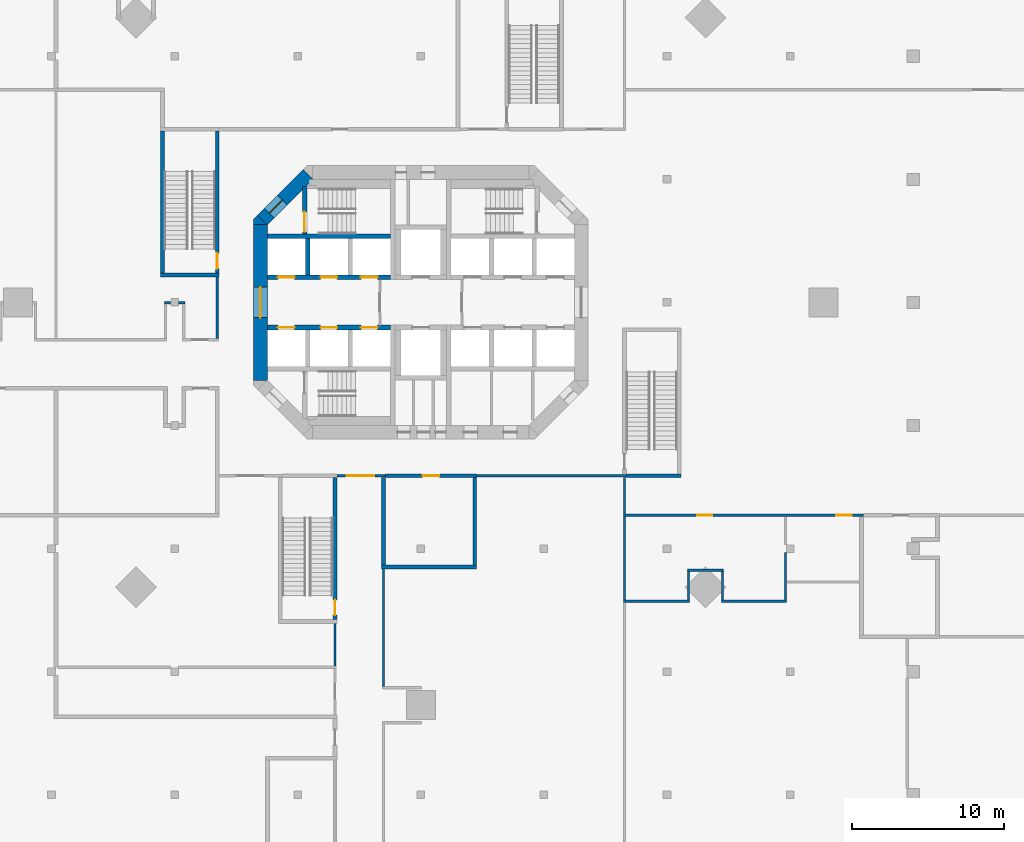
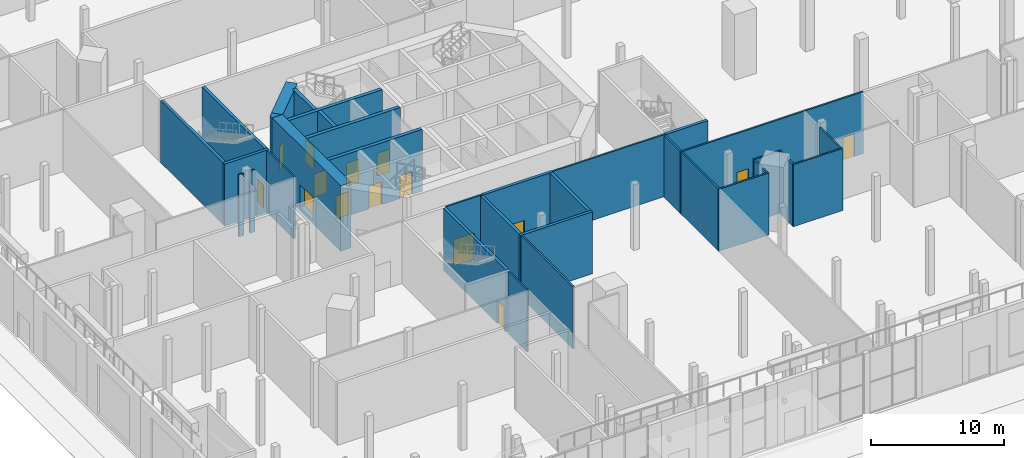
# One storey, part 15 of 32: 33 walls, 15 doors, 15 openings.
"""IFC4 building model written with IfcOpenShell, lengths in metres."""

from ifc_helpers import new_model, si_unit, direction, frame, frame_2d, origin, place, context, subcontext, project, spatial, polyline, rectangle, outline, extrude, material, layer, layer_set, type_object, element, fill, save


model = new_model("IFC4")

# Units and contexts
model_context = context("Model", 3, precision=1e-05, world=origin(), true_north=direction((0.0, 1.0)))
body_context = subcontext(model_context, "Body", "Model", "MODEL_VIEW")
ifc_project = project(units=[si_unit("LENGTHUNIT", "METRE"), si_unit("AREAUNIT", "SQUARE_METRE"), si_unit("VOLUMEUNIT", "CUBIC_METRE"), si_unit("PLANEANGLEUNIT", "RADIAN"), si_unit("MASSUNIT", "GRAM", prefix="KILO")], contexts=[model_context])

# Site, building, storey
site_placement = place(None, origin())
site = spatial("IfcSite", under=ifc_project, at=site_placement, CompositionType="ELEMENT")
building_placement = place(site_placement, origin())
building = spatial("IfcBuilding", under=site, at=building_placement, Name="Torre Triforio", CompositionType="ELEMENT")
storey_placement = place(building_placement, origin())
storey = spatial("IfcBuildingStorey", under=building, at=storey_placement, Name="L00", CompositionType="ELEMENT", Elevation=0.0)

# Wall, opening, door
ifc_material_1 = material(Name="Concrete C60", Category="concrete")
ifc_layer_1 = layer(ifc_material_1, 0.89990234375)
ifc_layer_set_1 = layer_set([ifc_layer_1], Name="Concrete C60")
wall_type_1 = type_object("IfcWallType", Name="Core wall 900 mm C60 EI 120", PredefinedType="SHEAR", material=ifc_layer_set_1)
wall_1_placement = place(storey_placement, frame((-10.550048828125, -5.1298828125, -0.320068359375), z_axis=(0.0, 0.0, 1.0), x_axis=(0.0, 1.0, 0.0)))
wall_1 = element("IfcWall", 1, at=wall_1_placement, inside=storey, type_object=wall_type_1, Name="Core wall", PredefinedType="SHEAR", context=body_context, shape_type="SweptSolid", body=[
    extrude(rectangle(XDim=10.259765625, YDim=0.89990234375, at=frame_2d((5.1298828125, 0.0))), origin(), (0.0, 0.0, 1.0), 6.0),
])
opening_1_placement = place(wall_1_placement, frame((4.1298828125, 0.0, 0.320068359375)))
opening_1 = element("IfcOpeningElement", 2, at=opening_1_placement, cuts=wall_1, Name="Opening W-RING", PredefinedType="OPENING", context=body_context, shape_type="SweptSolid", body=[
    extrude(rectangle(XDim=2.0, YDim=2.10009765625, at=frame_2d((1.0, 1.050048828125))), frame((0.0, 0.4599609375, 0.0), z_axis=(0.0, -1.0, 0.0), x_axis=(1.0, 0.0, 0.0)), (0.0, 0.0, 1.0), 0.919921875),
])
ifc_material_2 = material(Name="Hollow metal fire door leaf")
door_type_1 = type_object("IfcDoorType", Name="Lobby door 2000 x 2100 EI 60", OperationType="DOUBLE_DOOR_SINGLE_SWING", PredefinedType="DOOR", material=ifc_material_2)
door_1_placement = place(opening_1_placement, origin())
door_1 = element("IfcDoor", 3, at=door_1_placement, inside=storey, type_object=door_type_1, Name="Core door W-RING", OperationType="DOUBLE_DOOR_SINGLE_SWING", OverallHeight=2.10009765625, OverallWidth=2.0, PredefinedType="DOOR", context=body_context, shape_type="SweptSolid", body=[
    extrude(rectangle(XDim=2.0, YDim=2.10009765625, at=frame_2d((1.0, 1.050048828125))), frame((0.0, 0.02490234375, 0.0), z_axis=(0.0, -1.0, 0.0), x_axis=(1.0, 0.0, 0.0)), (0.0, 0.0, 1.0), 0.050048828125),
])
fill(opening_1, door_1)

wall_2_placement = place(storey_placement, frame((-10.418212890625, 5.418212890625, -0.320068359375), z_axis=(0.0, 0.0, 1.0), x_axis=(0.707106781187, 0.707106781187, 0.0)))
wall_2 = element("IfcWall", 4, at=wall_2_placement, inside=storey, type_object=wall_type_1, Name="Core wall", PredefinedType="SHEAR", context=body_context, shape_type="SweptSolid", body=[
    extrude(rectangle(XDim=4.24267578125, YDim=0.89990234375, at=frame_2d((2.121337890625, 0.0))), origin(), (0.0, 0.0, 1.0), 6.0),
])
opening_2_placement = place(wall_2_placement, frame((0.64990234375, 0.0, 0.320068359375)))
opening_2 = element("IfcOpeningElement", 5, at=opening_2_placement, cuts=wall_2, Name="Opening ST1-EXIT", PredefinedType="OPENING", context=body_context, shape_type="SweptSolid", body=[
    extrude(rectangle(XDim=1.199951171875, YDim=2.10009765625, at=frame_2d((0.60009765625, 1.050048828125))), frame((0.0, 0.4599609375, 0.0), z_axis=(0.0, -1.0, 0.0), x_axis=(1.0, 0.0, 0.0)), (0.0, 0.0, 1.0), 0.919921875),
])
door_type_2 = type_object("IfcDoorType", Name="Stair lobby door 1200 x 2100 EI 60", OperationType="NOTDEFINED", PredefinedType="DOOR", material=ifc_material_2)
door_2_placement = place(opening_2_placement, origin())
door_2 = element("IfcDoor", 6, at=door_2_placement, inside=storey, type_object=door_type_2, Name="Core door ST1-EXIT", OperationType="SINGLE_SWING_LEFT", OverallHeight=2.10009765625, OverallWidth=1.199951171875, PredefinedType="DOOR", context=body_context, shape_type="SweptSolid", body=[
    extrude(rectangle(XDim=1.199951171875, YDim=2.10009765625, at=frame_2d((0.60009765625, 1.050048828125))), frame((0.0, 0.02490234375, 0.0), z_axis=(0.0, -1.0, 0.0), x_axis=(1.0, 0.0, 0.0)), (0.0, 0.0, 1.0), 0.050048828125),
])
fill(opening_2, door_2)

# Walls
wall_3_placement = place(storey_placement, frame((0.0, 0.0, -0.320068359375)))
element("IfcWall", 7, at=wall_3_placement, inside=storey, type_object=wall_type_1, Name="Core wall", PredefinedType="SHEAR", context=body_context, shape_type="SweptSolid", body=[
    extrude(outline(polyline([(-10.736328125, 5.736328125), (-10.1298828125, 5.1298828125), (-11.0, 5.1298828125), (-11.0, 5.472900390625), (-10.736328125, 5.736328125)])), origin(), (0.0, 0.0, 1.0), 6.0),
])
ifc_material_3 = material(Name="Plasterboard on metal studs")
ifc_layer_2 = layer(ifc_material_3, 0.14990234375)
ifc_layer_set_2 = layer_set([ifc_layer_2], Name="Plasterboard on metal studs")
wall_type_2 = type_object("IfcWallType", Name="Corridor wall 150 EI 60", PredefinedType="PARTITIONING", material=ifc_layer_set_2)
wall_4_placement = place(storey_placement, frame((13.39990234375, -13.925048828125, 0.0), z_axis=(0.0, 0.0, 1.0), x_axis=(0.0, 1.0, 0.0)))
element("IfcWall", 8, at=wall_4_placement, inside=storey, type_object=wall_type_2, Name="Corridor wall L00 109", PredefinedType="PARTITIONING", context=body_context, shape_type="SweptSolid", body=[
    extrude(rectangle(XDim=2.400146484375, YDim=0.14990234375, at=frame_2d((1.2001953125, 0.0))), origin(), (0.0, 0.0, 1.0), 5.679931640625),
])
wall_5_placement = place(storey_placement, frame((3.675048828125, -11.39990234375, 0.0), z_axis=(0.0, 0.0, 1.0), x_axis=(1.0, 0.0, 0.0)))
element("IfcWall", 9, at=wall_5_placement, inside=storey, type_object=wall_type_2, Name="Corridor wall L00 154", PredefinedType="PARTITIONING", context=body_context, shape_type="SweptSolid", body=[
    extrude(rectangle(XDim=9.849853515625, YDim=0.14990234375, at=frame_2d((4.9248046875, 0.0))), origin(), (0.0, 0.0, 1.0), 5.679931640625),
])

# Wall, opening, door
wall_6_placement = place(storey_placement, frame((-5.52490234375, -11.39990234375, 0.0), z_axis=(0.0, 0.0, 1.0), x_axis=(1.0, 0.0, 0.0)))
wall_6 = element("IfcWall", 10, at=wall_6_placement, inside=storey, type_object=wall_type_2, Name="Corridor wall L00 155", PredefinedType="PARTITIONING", context=body_context, shape_type="SweptSolid", body=[
    extrude(rectangle(XDim=3.199951171875, YDim=0.14990234375, at=frame_2d((1.60009765625, 0.0))), origin(), (0.0, 0.0, 1.0), 5.679931640625),
])
opening_3_placement = place(wall_6_placement, frame((0.64990234375, 0.0, 0.0)))
opening_3 = element("IfcOpeningElement", 11, at=opening_3_placement, cuts=wall_6, Name="Opening P0-55", PredefinedType="OPENING", context=body_context, shape_type="SweptSolid", body=[
    extrude(rectangle(XDim=1.800048828125, YDim=2.39990234375, at=frame_2d((0.89990234375, 1.199951171875))), frame((0.0, 0.0849609375, 0.0), z_axis=(0.0, -1.0, 0.0), x_axis=(1.0, 0.0, 0.0)), (0.0, 0.0, 1.0), 0.169921875),
])
ifc_material_4 = material(Name="Timber door leaf", Category="wood")
door_type_3 = type_object("IfcDoorType", Name="Double door 1800 x 2400 EI 60", OperationType="NOTDEFINED", PredefinedType="DOOR", material=ifc_material_4)
door_3_placement = place(opening_3_placement, frame((1.800048828125, 0.0, 0.0), z_axis=(0.0, 0.0, 1.0), x_axis=(-1.0, 0.0, 0.0)))
door_3 = element("IfcDoor", 12, at=door_3_placement, inside=storey, type_object=door_type_3, Name="Door P0-55", OperationType="SINGLE_SWING_RIGHT", OverallHeight=2.39990234375, OverallWidth=1.800048828125, PredefinedType="DOOR", context=body_context, shape_type="SweptSolid", body=[
    extrude(rectangle(XDim=1.800048828125, YDim=2.39990234375, at=frame_2d((0.89990234375, 1.199951171875))), frame((0.0, 0.02490234375, 0.0), z_axis=(0.0, -1.0, 0.0), x_axis=(1.0, 0.0, 0.0)), (0.0, 0.0, 1.0), 0.050048828125),
])
fill(opening_3, door_3)

# Walls
wall_7_placement = place(storey_placement, frame((-13.39990234375, -2.375, 0.0), z_axis=(0.0, 0.0, 1.0), x_axis=(0.0, 1.0, 0.0)))
element("IfcWall", 13, at=wall_7_placement, inside=storey, type_object=wall_type_2, Name="Corridor wall L00 156", PredefinedType="PARTITIONING", context=body_context, shape_type="SweptSolid", body=[
    extrude(rectangle(XDim=4.050048828125, YDim=0.14990234375, at=frame_2d((2.02490234375, 0.0))), origin(), (0.0, 0.0, 1.0), 5.679931640625),
])
wall_8_placement = place(storey_placement, frame((-5.64990234375, -23.925048828125, 0.0), z_axis=(0.0, 0.0, 1.0), x_axis=(0.0, 1.0, 0.0)))
element("IfcWall", 14, at=wall_8_placement, inside=storey, type_object=wall_type_2, Name="Corridor wall L00 161", PredefinedType="PARTITIONING", context=body_context, shape_type="SweptSolid", body=[
    extrude(rectangle(XDim=2.800048828125, YDim=0.14990234375, at=frame_2d((1.39990234375, 0.0))), origin(), (0.0, 0.0, 1.0), 5.679931640625),
])
wall_9_placement = place(storey_placement, frame((-2.449951171875, -25.27490234375, 0.0), z_axis=(0.0, 0.0, 1.0), x_axis=(0.0, 1.0, 0.0)))
element("IfcWall", 15, at=wall_9_placement, inside=storey, type_object=wall_type_2, Name="Corridor wall L00 179", PredefinedType="PARTITIONING", context=body_context, shape_type="SweptSolid", body=[
    extrude(rectangle(XDim=7.75, YDim=0.14990234375, at=frame_2d((3.875, 0.0))), origin(), (0.0, 0.0, 1.0), 5.679931640625),
])
for number, where, z_axis, x_axis, name in (
    (16, (-16.875, -0.02001953125, 0.0), (0.0, 0.0, 1.0), (1.0, 0.0, 0.0), "Corridor wall L00 183"),
    (17, (-15.93994140625, -0.02001953125, 0.0), (0.0, 0.0, 1.0), (1.0, 0.0, 0.0), "Corridor wall L00 184"),
):
    element("IfcWall", number, at=place(storey_placement, frame(where, z_axis=z_axis, x_axis=x_axis)), inside=storey, type_object=wall_type_2, Name=name, PredefinedType="PARTITIONING", context=body_context, shape_type="SweptSolid", body=[
        extrude(rectangle(XDim=0.4150390625, YDim=0.14990234375, at=frame_2d((0.20751953125, 0.0))), origin(), (0.0, 0.0, 1.0), 5.679931640625),
    ])

# Wall, opening, door
ifc_material_5 = material(Name="Masonry block", Category="masonry")
ifc_layer_3 = layer(ifc_material_5, 0.25)
ifc_layer_set_3 = layer_set([ifc_layer_3], Name="Masonry block")
wall_type_3 = type_object("IfcWallType", Name="Plant room wall 250 EI 120", PredefinedType="PARTITIONING", material=ifc_layer_set_3)
wall_10_placement = place(storey_placement, frame((-2.324951171875, -11.39990234375, 0.0), z_axis=(0.0, 0.0, 1.0), x_axis=(1.0, 0.0, 0.0)))
wall_10 = element("IfcWall", 18, at=wall_10_placement, inside=storey, type_object=wall_type_3, Name="Plant room wall L00 091", PredefinedType="PARTITIONING", context=body_context, shape_type="SweptSolid", body=[
    extrude(rectangle(XDim=6.0, YDim=0.25, at=frame_2d((3.0, 0.0))), origin(), (0.0, 0.0, 1.0), 5.679931640625),
])
opening_4_placement = place(wall_10_placement, frame((2.449951171875, 0.0, 0.0)))
opening_4 = element("IfcOpeningElement", 19, at=opening_4_placement, cuts=wall_10, Name="Opening P0-07", PredefinedType="OPENING", context=body_context, shape_type="SweptSolid", body=[
    extrude(rectangle(XDim=1.10009765625, YDim=2.10009765625, at=frame_2d((0.550048828125, 1.050048828125))), frame((0.0, 0.135009765625, 0.0), z_axis=(0.0, -1.0, 0.0), x_axis=(1.0, 0.0, 0.0)), (0.0, 0.0, 1.0), 0.27001953125),
])
door_type_4 = type_object("IfcDoorType", Name="Plant room door 1100 x 2100 EI 60", OperationType="NOTDEFINED", PredefinedType="DOOR", material=ifc_material_2)
door_4_placement = place(opening_4_placement, origin())
door_4 = element("IfcDoor", 20, at=door_4_placement, inside=storey, type_object=door_type_4, Name="Door P0-07", OperationType="SINGLE_SWING_LEFT", OverallHeight=2.10009765625, OverallWidth=1.10009765625, PredefinedType="DOOR", context=body_context, shape_type="SweptSolid", body=[
    extrude(rectangle(XDim=1.10009765625, YDim=2.10009765625, at=frame_2d((0.550048828125, 1.050048828125))), frame((0.0, 0.02490234375, 0.0), z_axis=(0.0, -1.0, 0.0), x_axis=(1.0, 0.0, 0.0)), (0.0, 0.0, 1.0), 0.050048828125),
])
fill(opening_4, door_4)

# Walls
wall_11_placement = place(storey_placement, frame((-2.574951171875, -17.39990234375, 0.0), z_axis=(0.0, 0.0, 1.0), x_axis=(1.0, 0.0, 0.0)))
element("IfcWall", 21, at=wall_11_placement, inside=storey, type_object=wall_type_3, Name="Plant room wall L00 092", PredefinedType="PARTITIONING", context=body_context, shape_type="SweptSolid", body=[
    extrude(rectangle(XDim=6.25, YDim=0.25, at=frame_2d((3.125, 0.0))), origin(), (0.0, 0.0, 1.0), 5.679931640625),
])
for number, where, z_axis, x_axis, name in (
    (22, (3.550048828125, -17.27490234375, 0.0), (0.0, 0.0, 1.0), (0.0, 1.0, 0.0), "Plant room wall L00 093"),
    (23, (-2.449951171875, -17.27490234375, 0.0), (0.0, 0.0, 1.0), (0.0, 1.0, 0.0), "Plant room wall L00 094"),
):
    element("IfcWall", number, at=place(storey_placement, frame(where, z_axis=z_axis, x_axis=x_axis)), inside=storey, type_object=wall_type_3, Name=name, PredefinedType="PARTITIONING", context=body_context, shape_type="SweptSolid", body=[
        extrude(rectangle(XDim=5.75, YDim=0.25, at=frame_2d((2.875, 0.0))), origin(), (0.0, 0.0, 1.0), 5.679931640625),
    ])
ifc_layer_4 = layer(ifc_material_1, 0.300048828125)
ifc_layer_set_4 = layer_set([ifc_layer_4], Name="Concrete C60")
wall_type_4 = type_object("IfcWallType", Name="Shaft wall 300 mm C60 EI 120", PredefinedType="SOLIDWALL", material=ifc_layer_set_4)
wall_12_placement = place(storey_placement, frame((-10.10009765625, 4.35009765625, 0.0), z_axis=(0.0, 0.0, 1.0), x_axis=(1.0, 0.0, 0.0)))
element("IfcWall", 24, at=wall_12_placement, inside=storey, type_object=wall_type_4, Name="Shaft wall", PredefinedType="SOLIDWALL", context=body_context, shape_type="SweptSolid", body=[
    extrude(rectangle(XDim=8.10009765625, YDim=0.300048828125, at=frame_2d((4.050048828125, 0.0))), origin(), (0.0, 0.0, 1.0), 5.679931640625),
])

# Wall, openings, doors
wall_13_placement = place(storey_placement, frame((-10.10009765625, 1.64990234375, 0.0), z_axis=(0.0, 0.0, 1.0), x_axis=(1.0, 0.0, 0.0)))
wall_13 = element("IfcWall", 25, at=wall_13_placement, inside=storey, type_object=wall_type_4, Name="Shaft wall", PredefinedType="SOLIDWALL", context=body_context, shape_type="SweptSolid", body=[
    extrude(rectangle(XDim=8.10009765625, YDim=0.300048828125, at=frame_2d((4.050048828125, 0.0))), origin(), (0.0, 0.0, 1.0), 5.679931640625),
])
opening_5_placement = place(wall_13_placement, frame((0.699951171875, 0.0, 0.0)))
opening_5 = element("IfcOpeningElement", 26, at=opening_5_placement, cuts=wall_13, Name="Opening LD", PredefinedType="OPENING", context=body_context, shape_type="SweptSolid", body=[
    extrude(rectangle(XDim=1.10009765625, YDim=2.10009765625, at=frame_2d((0.550048828125, 1.050048828125))), frame((0.0, 0.159912109375, 0.0), z_axis=(0.0, -1.0, 0.0), x_axis=(1.0, 0.0, 0.0)), (0.0, 0.0, 1.0), 0.320068359375),
])
opening_6_placement = place(wall_13_placement, frame((3.5, 0.0, 0.0)))
opening_6 = element("IfcOpeningElement", 27, at=opening_6_placement, cuts=wall_13, Name="Opening LD", PredefinedType="OPENING", context=body_context, shape_type="SweptSolid", body=[
    extrude(rectangle(XDim=1.10009765625, YDim=2.10009765625, at=frame_2d((0.550048828125, 1.050048828125))), frame((0.0, 0.159912109375, 0.0), z_axis=(0.0, -1.0, 0.0), x_axis=(1.0, 0.0, 0.0)), (0.0, 0.0, 1.0), 0.320068359375),
])
opening_7_placement = place(wall_13_placement, frame((6.14990234375, 0.0, 0.0)))
opening_7 = element("IfcOpeningElement", 28, at=opening_7_placement, cuts=wall_13, Name="Opening LD", PredefinedType="OPENING", context=body_context, shape_type="SweptSolid", body=[
    extrude(rectangle(XDim=1.10009765625, YDim=2.10009765625, at=frame_2d((0.550048828125, 1.050048828125))), frame((0.0, 0.159912109375, 0.0), z_axis=(0.0, -1.0, 0.0), x_axis=(1.0, 0.0, 0.0)), (0.0, 0.0, 1.0), 0.320068359375),
])
door_type_5 = type_object("IfcDoorType", Name="Landing door 1100 x 2100 EI 60", OperationType="DOUBLE_DOOR_SLIDING", PredefinedType="DOOR", material=ifc_material_2)
door_5_placement = place(opening_5_placement, origin())
door_5 = element("IfcDoor", 29, at=door_5_placement, inside=storey, type_object=door_type_5, Name="Landing door LR1", OperationType="DOUBLE_DOOR_SLIDING", OverallHeight=2.10009765625, OverallWidth=1.10009765625, PredefinedType="DOOR", context=body_context, shape_type="SweptSolid", body=[
    extrude(rectangle(XDim=1.10009765625, YDim=2.10009765625, at=frame_2d((0.550048828125, 1.050048828125))), frame((0.0, 0.02490234375, 0.0), z_axis=(0.0, -1.0, 0.0), x_axis=(1.0, 0.0, 0.0)), (0.0, 0.0, 1.0), 0.050048828125),
])
fill(opening_5, door_5)
door_6_placement = place(opening_6_placement, origin())
door_6 = element("IfcDoor", 30, at=door_6_placement, inside=storey, type_object=door_type_5, Name="Landing door LR2", OperationType="DOUBLE_DOOR_SLIDING", OverallHeight=2.10009765625, OverallWidth=1.10009765625, PredefinedType="DOOR", context=body_context, shape_type="SweptSolid", body=[
    extrude(rectangle(XDim=1.10009765625, YDim=2.10009765625, at=frame_2d((0.550048828125, 1.050048828125))), frame((0.0, 0.02490234375, 0.0), z_axis=(0.0, -1.0, 0.0), x_axis=(1.0, 0.0, 0.0)), (0.0, 0.0, 1.0), 0.050048828125),
])
fill(opening_6, door_6)
door_7_placement = place(opening_7_placement, origin())
door_7 = element("IfcDoor", 31, at=door_7_placement, inside=storey, type_object=door_type_5, Name="Landing door LR3", OperationType="DOUBLE_DOOR_SLIDING", OverallHeight=2.10009765625, OverallWidth=1.10009765625, PredefinedType="DOOR", context=body_context, shape_type="SweptSolid", body=[
    extrude(rectangle(XDim=1.10009765625, YDim=2.10009765625, at=frame_2d((0.550048828125, 1.050048828125))), frame((0.0, 0.02490234375, 0.0), z_axis=(0.0, -1.0, 0.0), x_axis=(1.0, 0.0, 0.0)), (0.0, 0.0, 1.0), 0.050048828125),
])
fill(opening_7, door_7)

wall_14_placement = place(storey_placement, frame((-10.10009765625, -1.64990234375, 0.0), z_axis=(0.0, 0.0, 1.0), x_axis=(1.0, 0.0, 0.0)))
wall_14 = element("IfcWall", 32, at=wall_14_placement, inside=storey, type_object=wall_type_4, Name="Shaft wall", PredefinedType="SOLIDWALL", context=body_context, shape_type="SweptSolid", body=[
    extrude(rectangle(XDim=8.10009765625, YDim=0.300048828125, at=frame_2d((4.050048828125, 0.0))), origin(), (0.0, 0.0, 1.0), 5.679931640625),
])
opening_8_placement = place(wall_14_placement, frame((0.699951171875, 0.0, 0.0)))
opening_8 = element("IfcOpeningElement", 33, at=opening_8_placement, cuts=wall_14, Name="Opening LD", PredefinedType="OPENING", context=body_context, shape_type="SweptSolid", body=[
    extrude(rectangle(XDim=1.10009765625, YDim=2.10009765625, at=frame_2d((0.550048828125, 1.050048828125))), frame((0.0, 0.159912109375, 0.0), z_axis=(0.0, -1.0, 0.0), x_axis=(1.0, 0.0, 0.0)), (0.0, 0.0, 1.0), 0.320068359375),
])
opening_9_placement = place(wall_14_placement, frame((3.5, 0.0, 0.0)))
opening_9 = element("IfcOpeningElement", 34, at=opening_9_placement, cuts=wall_14, Name="Opening LD", PredefinedType="OPENING", context=body_context, shape_type="SweptSolid", body=[
    extrude(rectangle(XDim=1.10009765625, YDim=2.10009765625, at=frame_2d((0.550048828125, 1.050048828125))), frame((0.0, 0.159912109375, 0.0), z_axis=(0.0, -1.0, 0.0), x_axis=(1.0, 0.0, 0.0)), (0.0, 0.0, 1.0), 0.320068359375),
])
opening_10_placement = place(wall_14_placement, frame((6.14990234375, 0.0, 0.0)))
opening_10 = element("IfcOpeningElement", 35, at=opening_10_placement, cuts=wall_14, Name="Opening LD", PredefinedType="OPENING", context=body_context, shape_type="SweptSolid", body=[
    extrude(rectangle(XDim=1.10009765625, YDim=2.10009765625, at=frame_2d((0.550048828125, 1.050048828125))), frame((0.0, 0.159912109375, 0.0), z_axis=(0.0, -1.0, 0.0), x_axis=(1.0, 0.0, 0.0)), (0.0, 0.0, 1.0), 0.320068359375),
])
door_8_placement = place(opening_8_placement, origin())
door_8 = element("IfcDoor", 36, at=door_8_placement, inside=storey, type_object=door_type_5, Name="Landing door LR4", OperationType="DOUBLE_DOOR_SLIDING", OverallHeight=2.10009765625, OverallWidth=1.10009765625, PredefinedType="DOOR", context=body_context, shape_type="SweptSolid", body=[
    extrude(rectangle(XDim=1.10009765625, YDim=2.10009765625, at=frame_2d((0.550048828125, 1.050048828125))), frame((0.0, 0.02490234375, 0.0), z_axis=(0.0, -1.0, 0.0), x_axis=(1.0, 0.0, 0.0)), (0.0, 0.0, 1.0), 0.050048828125),
])
fill(opening_8, door_8)
door_9_placement = place(opening_9_placement, origin())
door_9 = element("IfcDoor", 37, at=door_9_placement, inside=storey, type_object=door_type_5, Name="Landing door LR5", OperationType="DOUBLE_DOOR_SLIDING", OverallHeight=2.10009765625, OverallWidth=1.10009765625, PredefinedType="DOOR", context=body_context, shape_type="SweptSolid", body=[
    extrude(rectangle(XDim=1.10009765625, YDim=2.10009765625, at=frame_2d((0.550048828125, 1.050048828125))), frame((0.0, 0.02490234375, 0.0), z_axis=(0.0, -1.0, 0.0), x_axis=(1.0, 0.0, 0.0)), (0.0, 0.0, 1.0), 0.050048828125),
])
fill(opening_9, door_9)
door_10_placement = place(opening_10_placement, origin())
door_10 = element("IfcDoor", 38, at=door_10_placement, inside=storey, type_object=door_type_5, Name="Landing door LR6", OperationType="DOUBLE_DOOR_SLIDING", OverallHeight=2.10009765625, OverallWidth=1.10009765625, PredefinedType="DOOR", context=body_context, shape_type="SweptSolid", body=[
    extrude(rectangle(XDim=1.10009765625, YDim=2.10009765625, at=frame_2d((0.550048828125, 1.050048828125))), frame((0.0, 0.02490234375, 0.0), z_axis=(0.0, -1.0, 0.0), x_axis=(1.0, 0.0, 0.0)), (0.0, 0.0, 1.0), 0.050048828125),
])
fill(opening_10, door_10)

# Walls
wall_15_placement = place(storey_placement, frame((-7.449951171875, 1.800048828125, 0.0), z_axis=(0.0, 0.0, 1.0), x_axis=(0.0, 1.0, 0.0)))
element("IfcWall", 39, at=wall_15_placement, inside=storey, type_object=wall_type_4, Name="Shaft wall", PredefinedType="SOLIDWALL", context=body_context, shape_type="SweptSolid", body=[
    extrude(rectangle(XDim=2.39990234375, YDim=0.300048828125, at=frame_2d((1.199951171875, 0.0))), origin(), (0.0, 0.0, 1.0), 5.679931640625),
])
ifc_material_6 = material(Name="Concrete C40", Category="concrete")
ifc_layer_5 = layer(ifc_material_6, 0.25)
ifc_layer_set_5 = layer_set([ifc_layer_5], Name="Concrete C40")
wall_type_5 = type_object("IfcWallType", Name="Stair enclosure wall 250 EI 120", PredefinedType="STANDARD", material=ifc_layer_set_5)
wall_16_placement = place(storey_placement, frame((13.52490234375, -11.39990234375, 0.0), z_axis=(0.0, 0.0, 1.0), x_axis=(1.0, 0.0, 0.0)))
element("IfcWall", 40, at=wall_16_placement, inside=storey, type_object=wall_type_5, Name="Stair enclosure wall L00 104", PredefinedType="STANDARD", context=body_context, shape_type="SweptSolid", body=[
    extrude(rectangle(XDim=3.60009765625, YDim=0.25, at=frame_2d((1.800048828125, 0.0))), origin(), (0.0, 0.0, 1.0), 5.679931640625),
])

# Wall, opening, door
wall_17_placement = place(storey_placement, frame((-13.39990234375, 1.925048828125, 0.0), z_axis=(0.0, 0.0, 1.0), x_axis=(0.0, 1.0, 0.0)))
wall_17 = element("IfcWall", 41, at=wall_17_placement, inside=storey, type_object=wall_type_5, Name="Stair enclosure wall L00 132", PredefinedType="STANDARD", context=body_context, shape_type="SweptSolid", body=[
    extrude(rectangle(XDim=9.349853515625, YDim=0.25, at=frame_2d((4.6748046875, 0.0))), origin(), (0.0, 0.0, 1.0), 5.679931640625),
])
opening_11_placement = place(wall_17_placement, frame((0.300048828125, 0.0, 0.0)))
opening_11 = element("IfcOpeningElement", 42, at=opening_11_placement, cuts=wall_17, Name="Opening P0-01", PredefinedType="OPENING", context=body_context, shape_type="SweptSolid", body=[
    extrude(rectangle(XDim=1.0, YDim=2.10009765625, at=frame_2d((0.5, 1.050048828125))), frame((0.0, 0.135009765625, 0.0), z_axis=(0.0, -1.0, 0.0), x_axis=(1.0, 0.0, 0.0)), (0.0, 0.0, 1.0), 0.27001953125),
])
door_type_6 = type_object("IfcDoorType", Name="Stair door 1000 x 2100 EI 90", OperationType="NOTDEFINED", PredefinedType="DOOR", material=ifc_material_2)
door_11_placement = place(opening_11_placement, origin())
door_11 = element("IfcDoor", 43, at=door_11_placement, inside=storey, type_object=door_type_6, Name="Door P0-01", OperationType="SINGLE_SWING_LEFT", OverallHeight=2.10009765625, OverallWidth=1.0, PredefinedType="DOOR", context=body_context, shape_type="SweptSolid", body=[
    extrude(rectangle(XDim=1.0, YDim=2.10009765625, at=frame_2d((0.5, 1.050048828125))), frame((0.0, 0.02490234375, 0.0), z_axis=(0.0, -1.0, 0.0), x_axis=(1.0, 0.0, 0.0)), (0.0, 0.0, 1.0), 0.050048828125),
])
fill(opening_11, door_11)

# Walls
wall_18_placement = place(storey_placement, frame((-17.125, 1.800048828125, 0.0), z_axis=(0.0, 0.0, 1.0), x_axis=(1.0, 0.0, 0.0)))
element("IfcWall", 44, at=wall_18_placement, inside=storey, type_object=wall_type_5, Name="Stair enclosure wall L00 133", PredefinedType="STANDARD", context=body_context, shape_type="SweptSolid", body=[
    extrude(rectangle(XDim=3.85009765625, YDim=0.25, at=frame_2d((1.925048828125, 0.0))), origin(), (0.0, 0.0, 1.0), 5.679931640625),
])
wall_19_placement = place(storey_placement, frame((-17.0, 1.925048828125, 0.0), z_axis=(0.0, 0.0, 1.0), x_axis=(0.0, 1.0, 0.0)))
element("IfcWall", 45, at=wall_19_placement, inside=storey, type_object=wall_type_5, Name="Stair enclosure wall L00 134", PredefinedType="STANDARD", context=body_context, shape_type="SweptSolid", body=[
    extrude(rectangle(XDim=9.349853515625, YDim=0.25, at=frame_2d((4.6748046875, 0.0))), origin(), (0.0, 0.0, 1.0), 5.679931640625),
])

# Wall, opening, door
wall_20_placement = place(storey_placement, frame((-5.64990234375, -20.875, 0.0), z_axis=(0.0, 0.0, 1.0), x_axis=(0.0, 1.0, 0.0)))
wall_20 = element("IfcWall", 46, at=wall_20_placement, inside=storey, type_object=wall_type_5, Name="Stair enclosure wall L00 139", PredefinedType="STANDARD", context=body_context, shape_type="SweptSolid", body=[
    extrude(rectangle(XDim=9.35009765625, YDim=0.25, at=frame_2d((4.675048828125, 0.0))), origin(), (0.0, 0.0, 1.0), 5.679931640625),
])
opening_12_placement = place(wall_20_placement, frame((0.300048828125, 0.0, 0.0)))
opening_12 = element("IfcOpeningElement", 47, at=opening_12_placement, cuts=wall_20, Name="Opening P0-03", PredefinedType="OPENING", context=body_context, shape_type="SweptSolid", body=[
    extrude(rectangle(XDim=1.0, YDim=2.10009765625, at=frame_2d((0.5, 1.050048828125))), frame((0.0, 0.135009765625, 0.0), z_axis=(0.0, -1.0, 0.0), x_axis=(1.0, 0.0, 0.0)), (0.0, 0.0, 1.0), 0.27001953125),
])
door_12_placement = place(opening_12_placement, origin())
door_12 = element("IfcDoor", 48, at=door_12_placement, inside=storey, type_object=door_type_6, Name="Door P0-03", OperationType="SINGLE_SWING_LEFT", OverallHeight=2.10009765625, OverallWidth=1.0, PredefinedType="DOOR", context=body_context, shape_type="SweptSolid", body=[
    extrude(rectangle(XDim=1.0, YDim=2.10009765625, at=frame_2d((0.5, 1.050048828125))), frame((0.0, 0.02490234375, 0.0), z_axis=(0.0, -1.0, 0.0), x_axis=(1.0, 0.0, 0.0)), (0.0, 0.0, 1.0), 0.050048828125),
])
fill(opening_12, door_12)

ifc_layer_6 = layer(ifc_material_1, 0.300048828125)
ifc_layer_set_6 = layer_set([ifc_layer_6], Name="Concrete C60")
wall_type_6 = type_object("IfcWallType", Name="Stair wall 300 mm C60 EI 120", PredefinedType="SHEAR", material=ifc_layer_set_6)
wall_21_placement = place(storey_placement, frame((-7.64990234375, 4.5, 0.0), z_axis=(0.0, 0.0, 1.0), x_axis=(0.0, 1.0, 0.0)))
wall_21 = element("IfcWall", 49, at=wall_21_placement, inside=storey, type_object=wall_type_6, Name="Stair wall", PredefinedType="SHEAR", context=body_context, shape_type="SweptSolid", body=[
    extrude(rectangle(XDim=3.139892578125, YDim=0.300048828125, at=frame_2d((1.56982421875, 0.0))), origin(), (0.0, 0.0, 1.0), 5.679931640625),
])
opening_13_placement = place(wall_21_placement, frame((0.139892578125, 0.0, 0.0)))
opening_13 = element("IfcOpeningElement", 50, at=opening_13_placement, cuts=wall_21, Name="Opening ST1-STA", PredefinedType="OPENING", context=body_context, shape_type="SweptSolid", body=[
    extrude(rectangle(XDim=1.320068359375, YDim=2.10009765625, at=frame_2d((0.66015625, 1.050048828125))), frame((0.0, 0.159912109375, 0.0), z_axis=(0.0, -1.0, 0.0), x_axis=(1.0, 0.0, 0.0)), (0.0, 0.0, 1.0), 0.320068359375),
])
door_type_7 = type_object("IfcDoorType", Name="Stair door 1320 x 2100 EI 90", OperationType="DOUBLE_DOOR_SINGLE_SWING", PredefinedType="DOOR", material=ifc_material_2)
door_13_placement = place(opening_13_placement, origin())
door_13 = element("IfcDoor", 51, at=door_13_placement, inside=storey, type_object=door_type_7, Name="Core door ST1-ST", OperationType="DOUBLE_DOOR_SINGLE_SWING", OverallHeight=2.10009765625, OverallWidth=1.320068359375, PredefinedType="DOOR", context=body_context, shape_type="SweptSolid", body=[
    extrude(rectangle(XDim=1.320068359375, YDim=2.10009765625, at=frame_2d((0.66015625, 1.050048828125))), frame((0.0, 0.02490234375, 0.0), z_axis=(0.0, -1.0, 0.0), x_axis=(1.0, 0.0, 0.0)), (0.0, 0.0, 1.0), 0.050048828125),
])
fill(opening_13, door_13)

# Wall, openings, doors
ifc_layer_7 = layer(ifc_material_3, 0.14990234375)
ifc_layer_set_7 = layer_set([ifc_layer_7], Name="Plasterboard on metal studs")
wall_type_7 = type_object("IfcWallType", Name="Wet room wall 150", PredefinedType="PARTITIONING", material=ifc_layer_set_7)
wall_22_placement = place(storey_placement, frame((13.324951171875, -14.0, 0.0), z_axis=(0.0, 0.0, 1.0), x_axis=(1.0, 0.0, 0.0)))
wall_22 = element("IfcWall", 52, at=wall_22_placement, inside=storey, type_object=wall_type_7, Name="Wet room wall L00 108", PredefinedType="PARTITIONING", context=body_context, shape_type="SweptSolid", body=[
    extrude(rectangle(XDim=15.800048828125, YDim=0.14990234375, at=frame_2d((7.89990234375, 0.0))), origin(), (0.0, 0.0, 1.0), 5.679931640625),
])
opening_14_placement = place(wall_22_placement, frame((4.85009765625, 0.0, 0.0)))
opening_14 = element("IfcOpeningElement", 53, at=opening_14_placement, cuts=wall_22, Name="Opening P0-13", PredefinedType="OPENING", context=body_context, shape_type="SweptSolid", body=[
    extrude(rectangle(XDim=1.0, YDim=2.10009765625, at=frame_2d((0.5, 1.050048828125))), frame((0.0, 0.0849609375, 0.0), z_axis=(0.0, -1.0, 0.0), x_axis=(1.0, 0.0, 0.0)), (0.0, 0.0, 1.0), 0.169921875),
])
opening_15_placement = place(wall_22_placement, frame((14.02490234375, 0.0, 0.0)))
opening_15 = element("IfcOpeningElement", 54, at=opening_15_placement, cuts=wall_22, Name="Opening P0-14", PredefinedType="OPENING", context=body_context, shape_type="SweptSolid", body=[
    extrude(rectangle(XDim=1.0, YDim=2.10009765625, at=frame_2d((0.5, 1.050048828125))), frame((0.0, 0.0849609375, 0.0), z_axis=(0.0, -1.0, 0.0), x_axis=(1.0, 0.0, 0.0)), (0.0, 0.0, 1.0), 0.169921875),
])
door_type_8 = type_object("IfcDoorType", Name="Single door 1000 x 2100", OperationType="NOTDEFINED", PredefinedType="DOOR", material=ifc_material_4)
door_14_placement = place(opening_14_placement, origin())
door_14 = element("IfcDoor", 55, at=door_14_placement, inside=storey, type_object=door_type_8, Name="Door P0-13", OperationType="SINGLE_SWING_LEFT", OverallHeight=2.10009765625, OverallWidth=1.0, PredefinedType="DOOR", context=body_context, shape_type="SweptSolid", body=[
    extrude(rectangle(XDim=1.0, YDim=2.10009765625, at=frame_2d((0.5, 1.050048828125))), frame((0.0, 0.02490234375, 0.0), z_axis=(0.0, -1.0, 0.0), x_axis=(1.0, 0.0, 0.0)), (0.0, 0.0, 1.0), 0.050048828125),
])
fill(opening_14, door_14)
door_15_placement = place(opening_15_placement, origin())
door_15 = element("IfcDoor", 56, at=door_15_placement, inside=storey, type_object=door_type_8, Name="Door P0-14", OperationType="SINGLE_SWING_LEFT", OverallHeight=2.10009765625, OverallWidth=1.0, PredefinedType="DOOR", context=body_context, shape_type="SweptSolid", body=[
    extrude(rectangle(XDim=1.0, YDim=2.10009765625, at=frame_2d((0.5, 1.050048828125))), frame((0.0, 0.02490234375, 0.0), z_axis=(0.0, -1.0, 0.0), x_axis=(1.0, 0.0, 0.0)), (0.0, 0.0, 1.0), 0.050048828125),
])
fill(opening_15, door_15)

# Walls
wall_23_placement = place(storey_placement, frame((13.324951171875, -19.660400390625, 0.0), z_axis=(0.0, 0.0, 1.0), x_axis=(1.0, 0.0, 0.0)))
element("IfcWall", 57, at=wall_23_placement, inside=storey, type_object=wall_type_7, Name="Wet room wall L00 162", PredefinedType="PARTITIONING", context=body_context, shape_type="SweptSolid", body=[
    extrude(rectangle(XDim=4.368408203125, YDim=0.14990234375, at=frame_2d((2.18408203125, 0.0))), origin(), (0.0, 0.0, 1.0), 5.679931640625),
])
wall_24_placement = place(storey_placement, frame((19.783203125, -19.660400390625, 0.0), z_axis=(0.0, 0.0, 1.0), x_axis=(1.0, 0.0, 0.0)))
element("IfcWall", 58, at=wall_24_placement, inside=storey, type_object=wall_type_7, Name="Wet room wall L00 163", PredefinedType="PARTITIONING", context=body_context, shape_type="SweptSolid", body=[
    extrude(rectangle(XDim=4.291748046875, YDim=0.14990234375, at=frame_2d((2.14599609375, 0.0))), origin(), (0.0, 0.0, 1.0), 5.679931640625),
])
wall_25_placement = place(storey_placement, frame((17.543212890625, -17.618408203125, 0.0), z_axis=(0.0, 0.0, 1.0), x_axis=(1.0, 0.0, 0.0)))
element("IfcWall", 59, at=wall_25_placement, inside=storey, type_object=wall_type_7, Name="Wet room wall L00 164", PredefinedType="PARTITIONING", context=body_context, shape_type="SweptSolid", body=[
    extrude(rectangle(XDim=2.39013671875, YDim=0.14990234375, at=frame_2d((1.195068359375, 0.0))), origin(), (0.0, 0.0, 1.0), 5.679931640625),
])
for number, where, z_axis, x_axis, name in (
    (60, (17.618408203125, -19.58544921875, 0.0), (0.0, 0.0, 1.0), (0.0, 1.0, 0.0), "Wet room wall L00 165"),
    (61, (19.8583984375, -19.58544921875, 0.0), (0.0, 0.0, 1.0), (0.0, 1.0, 0.0), "Wet room wall L00 166"),
):
    element("IfcWall", number, at=place(storey_placement, frame(where, z_axis=z_axis, x_axis=x_axis)), inside=storey, type_object=wall_type_7, Name=name, PredefinedType="PARTITIONING", context=body_context, shape_type="SweptSolid", body=[
        extrude(rectangle(XDim=1.89208984375, YDim=0.14990234375, at=frame_2d((0.946044921875, 0.0))), origin(), (0.0, 0.0, 1.0), 5.679931640625),
    ])
wall_26_placement = place(storey_placement, frame((24.0, -19.58544921875, 0.0), z_axis=(0.0, 0.0, 1.0), x_axis=(0.0, 1.0, 0.0)))
element("IfcWall", 62, at=wall_26_placement, inside=storey, type_object=wall_type_7, Name="Wet room wall L00 167", PredefinedType="PARTITIONING", context=body_context, shape_type="SweptSolid", body=[
    extrude(rectangle(XDim=3.12548828125, YDim=0.14990234375, at=frame_2d((1.562744140625, 0.0))), origin(), (0.0, 0.0, 1.0), 5.679931640625),
])
wall_27_placement = place(storey_placement, frame((13.39990234375, -19.58544921875, 0.0), z_axis=(0.0, 0.0, 1.0), x_axis=(0.0, 1.0, 0.0)))
element("IfcWall", 63, at=wall_27_placement, inside=storey, type_object=wall_type_7, Name="Wet room wall L00 168", PredefinedType="PARTITIONING", context=body_context, shape_type="SweptSolid", body=[
    extrude(rectangle(XDim=5.510498046875, YDim=0.14990234375, at=frame_2d((2.75537109375, 0.0))), origin(), (0.0, 0.0, 1.0), 5.679931640625),
])

save(model, "model.ifc")
